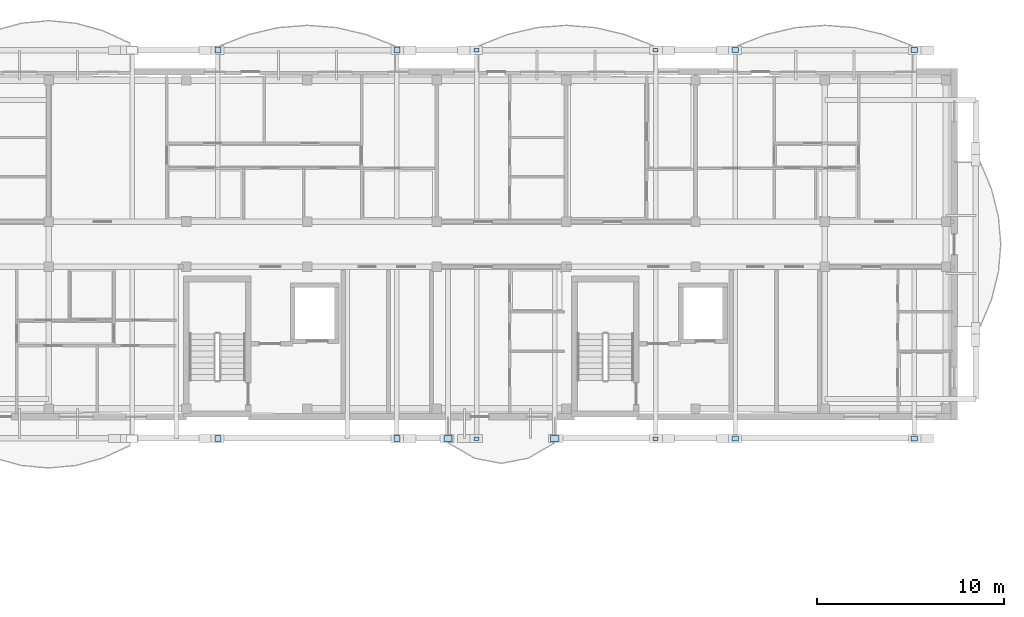
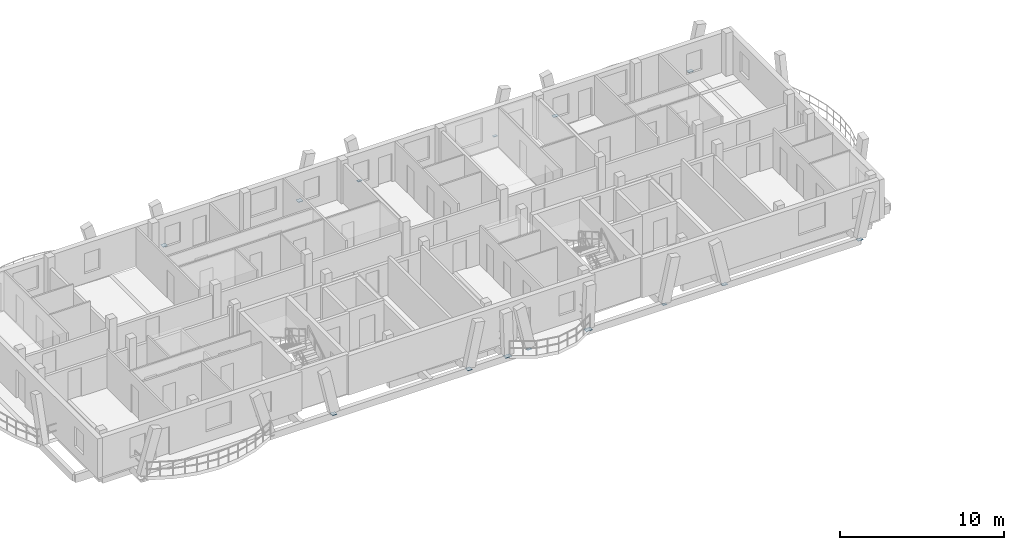
# One storey, part 16 of 50: 14 plates.
"""IFC4 building model written with IfcOpenShell, lengths in metres."""

from ifc_helpers import new_model, si_unit, direction, frame, origin, origin_2d, place, context, subcontext, project, spatial, rectangle, extrude, material, layer, layer_set, type_object, element, save


model = new_model("IFC4")

# Units and contexts
model_context = context("Model", 3, precision=1e-05, world=origin(), true_north=direction((0.0, 1.0)))
body_context = subcontext(model_context, "Body", "Model", "MODEL_VIEW")
ifc_project = project(units=[si_unit("LENGTHUNIT", "METRE"), si_unit("AREAUNIT", "SQUARE_METRE"), si_unit("VOLUMEUNIT", "CUBIC_METRE"), si_unit("PLANEANGLEUNIT", "RADIAN"), si_unit("MASSUNIT", "GRAM", prefix="KILO")], contexts=[model_context])

# Site, building, storey
site_placement = place(None, origin())
site = spatial("IfcSite", under=ifc_project, at=site_placement, CompositionType="ELEMENT")
building_placement = place(site_placement, origin())
building = spatial("IfcBuilding", under=site, at=building_placement, Name="Zavelmont Quarter", CompositionType="ELEMENT")
storey_placement = place(building_placement, frame((0.0, 0.0, 11.199951171875)))
storey = spatial("IfcBuildingStorey", under=building, at=storey_placement, Name="L03", CompositionType="ELEMENT", Elevation=11.199951171875)

# Plates
ifc_material = material(Name="Steel S355", Category="steel")
ifc_layer_1 = layer(ifc_material, 0.02001953125)
ifc_layer_set_1 = layer_set([ifc_layer_1], Name="Steel S355")
plate_type_1 = type_object("IfcPlateType", Name="NP01", PredefinedType="SHEET", material=ifc_layer_set_1)
for number, where, z_axis, x_axis, name in (
    (1, (142.5263671875, 117.162109375, -0.2099609375), (0.0, 0.0, 1.0), (1.0, 0.0, 0.0), "L03 steel connection plate NP01 at 21/S"),
    (2, (152.07373046875, 117.162109375, -0.2099609375), (0.0, 0.0, 1.0), (1.0, 0.0, 0.0), "L03 steel connection plate NP01 at 23/S"),
    (3, (142.5263671875, 96.43798828125, -0.2099609375), (0.0, 0.0, 1.0), (1.0, 0.0, 0.0), "L03 steel connection plate NP01 at 21/P"),
    (4, (152.07373046875, 96.43798828125, -0.2099609375), (0.0, 0.0, 1.0), (1.0, 0.0, 0.0), "L03 steel connection plate NP01 at 23/P"),
):
    element("IfcPlate", number, at=place(storey_placement, frame(where, z_axis=z_axis, x_axis=x_axis)), inside=storey, type_object=plate_type_1, Name=name, PredefinedType="SHEET", context=body_context, shape_type="SweptSolid", body=[
        extrude(rectangle(XDim=0.280029296875, YDim=0.179931640625, at=origin_2d()), origin(), (0.0, 0.0, 1.0), 0.02001953125),
    ])
ifc_layer_2 = layer(ifc_material, 0.02392578125)
ifc_layer_set_2 = layer_set([ifc_layer_2], Name="Steel S355")
plate_type_2 = type_object("IfcPlateType", Name="NP02", PredefinedType="SHEET", material=ifc_layer_set_2)
for number, where, z_axis, x_axis, name in (
    (5, (156.326416015625, 117.162109375, -0.2119140625), (0.0, 0.0, 1.0), (1.0, 0.0, 0.0), "L03 steel connection plate NP02 at 23/S"),
    (6, (165.873779296875, 117.162109375, -0.2119140625), (0.0, 0.0, 1.0), (1.0, 0.0, 0.0), "L03 steel connection plate NP02 at 25/S"),
    (7, (156.326416015625, 96.43798828125, -0.2119140625), (0.0, 0.0, 1.0), (1.0, 0.0, 0.0), "L03 steel connection plate NP02 at 23/P"),
    (8, (165.873779296875, 96.43798828125, -0.2119140625), (0.0, 0.0, 1.0), (1.0, 0.0, 0.0), "L03 steel connection plate NP02 at 25/P"),
):
    element("IfcPlate", number, at=place(storey_placement, frame(where, z_axis=z_axis, x_axis=x_axis)), inside=storey, type_object=plate_type_2, Name=name, PredefinedType="SHEET", context=body_context, shape_type="SweptSolid", body=[
        extrude(rectangle(XDim=0.360107421875, YDim=0.260009765625, at=origin_2d()), origin(), (0.0, 0.0, 1.0), 0.02392578125),
    ])
ifc_layer_3 = layer(ifc_material, 0.02490234375)
ifc_layer_set_3 = layer_set([ifc_layer_3], Name="Steel S355")
plate_type_3 = type_object("IfcPlateType", Name="NP03", PredefinedType="SHEET", material=ifc_layer_set_3)
for number, where, z_axis, x_axis, name in (
    (9, (141.004150390625, 96.43798828125, -0.21240234375), (0.0, 0.0, 1.0), (1.0, 0.0, 0.0), "L03 steel connection plate NP03 at 21/P"),
    (10, (146.69580078125, 96.43798828125, -0.21240234375), (0.0, 0.0, 1.0), (1.0, 0.0, 0.0), "L03 steel connection plate NP03 at 22/P"),
):
    element("IfcPlate", number, at=place(storey_placement, frame(where, z_axis=z_axis, x_axis=x_axis)), inside=storey, type_object=plate_type_3, Name=name, PredefinedType="SHEET", context=body_context, shape_type="SweptSolid", body=[
        extrude(rectangle(XDim=0.43994140625, YDim=0.320068359375, at=origin_2d()), origin(), (0.0, 0.0, 1.0), 0.02490234375),
    ])
ifc_layer_4 = layer(ifc_material, 0.02197265625)
ifc_layer_set_4 = layer_set([ifc_layer_4], Name="Steel S355")
plate_type_4 = type_object("IfcPlateType", Name="NP06", PredefinedType="SHEET", material=ifc_layer_set_4)
for number, where, z_axis, x_axis, name in (
    (11, (128.726318359375, 117.162109375, -0.2109375), (0.0, 0.0, 1.0), (1.0, 0.0, 0.0), "L03 steel connection plate NP06 at 19/S"),
    (12, (138.273681640625, 117.162109375, -0.2109375), (0.0, 0.0, 1.0), (1.0, 0.0, 0.0), "L03 steel connection plate NP06 at 21/S"),
    (13, (128.726318359375, 96.43798828125, -0.2109375), (0.0, 0.0, 1.0), (1.0, 0.0, 0.0), "L03 steel connection plate NP06 at 19/P"),
    (14, (138.273681640625, 96.43798828125, -0.2109375), (0.0, 0.0, 1.0), (1.0, 0.0, 0.0), "L03 steel connection plate NP06 at 21/P"),
):
    element("IfcPlate", number, at=place(storey_placement, frame(where, z_axis=z_axis, x_axis=x_axis)), inside=storey, type_object=plate_type_4, Name=name, PredefinedType="SHEET", context=body_context, shape_type="SweptSolid", body=[
        extrude(rectangle(XDim=0.320068359375, YDim=0.320068359375, at=origin_2d()), origin(), (0.0, 0.0, 1.0), 0.02197265625),
    ])

save(model, "model.ifc")
